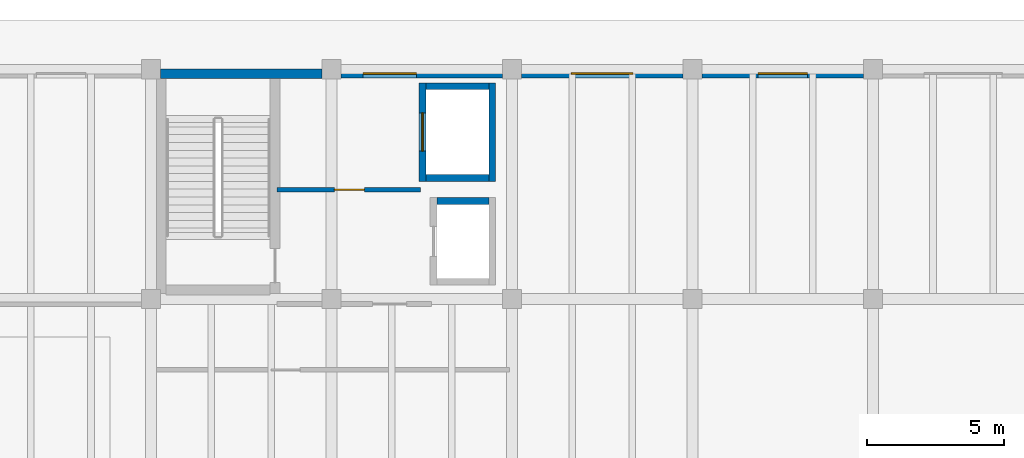
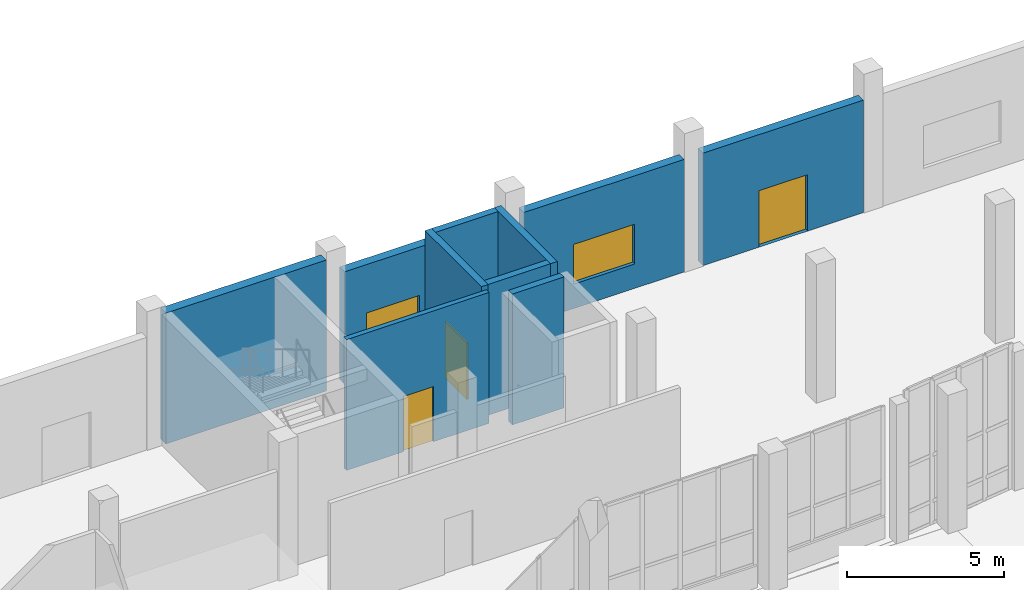
# One storey, part 45 of 64: 10 walls, 3 doors, 2 windows, 5 openings.
"""IFC4 building model written with IfcOpenShell, lengths in metres."""

import ifcopenshell
import ifcopenshell.guid

model = None  # the IFC model being written
_history = None  # IfcOwnerHistory: only IFC2X3 demands one
_inside = {}  # id of a spatial element -> (the spatial element, [elements in it])
_under = {}  # id of a project, library or spatial element -> (it, [spatial elements below it])
_declared = {}  # id of a project -> (the project, [libraries it declares])
_typed = {}  # id of a type object -> (the type object, [elements of that type])
_made_of = {}  # id of a material, layer set ... -> (it, [elements and type objects made of it])


def new_model(schema):
    """Start an empty IFC model of exactly this schema.

    Asked for "IFC4X3", IfcOpenShell would pick the latest addendum, in which some entities
    have other attributes; the version numbers below select the first issue.
    IFC2X3 requires an IfcOwnerHistory on every rooted entity: one is made here for all.
    """
    global model, _history
    if schema == "IFC4X3":
        model = ifcopenshell.file(schema_version=(4, 3, 0, 0))
    else:
        model = ifcopenshell.file(schema=schema)
    _inside.clear()
    _under.clear()
    _declared.clear()
    _typed.clear()
    _made_of.clear()
    _history = None
    if model.schema == "IFC2X3":
        org = make("IfcOrganization", Name="unknown")
        user = make(
            "IfcPersonAndOrganization",
            ThePerson=make("IfcPerson", FamilyName="unknown"),
            TheOrganization=org,
        )
        app = make(
            "IfcApplication",
            ApplicationDeveloper=org,
            Version="unknown",
            ApplicationFullName="unknown",
            ApplicationIdentifier="unknown",
        )
        _history = make(
            "IfcOwnerHistory",
            OwningUser=user,
            OwningApplication=app,
            ChangeAction="ADDED",
            CreationDate=0,
        )
    return model


def make(cls, **values):
    """One entity of the class cls with the attributes given. An attribute that is None is left unset."""
    return model.create_entity(
        cls, **{name: value for name, value in values.items() if value is not None}
    )


def rooted(cls, **values):
    """An entity with a GlobalId (a new one), such as an element, a storey or a relation."""
    return make(cls, GlobalId=ifcopenshell.guid.new(), OwnerHistory=_history, **values)


def si_unit(unit_type, name, prefix=None):
    """IfcSIUnit, for example si_unit("LENGTHUNIT", "METRE", prefix="MILLI")."""
    return make("IfcSIUnit", UnitType=unit_type, Prefix=prefix, Name=name)


def assignment(units):
    """IfcUnitAssignment: the units of a project."""
    return None if units is None else make("IfcUnitAssignment", Units=units)


def point(xyz):
    """IfcCartesianPoint."""
    return None if xyz is None else make("IfcCartesianPoint", Coordinates=xyz)


def direction(xyz):
    """IfcDirection."""
    return None if xyz is None else make("IfcDirection", DirectionRatios=xyz)


def frame(location, z_axis=None, x_axis=None):
    """IfcAxis2Placement3D, a coordinate frame: its origin and axes. An axis left out is left unset."""
    return make(
        "IfcAxis2Placement3D",
        Location=point(location),
        Axis=direction(z_axis),
        RefDirection=direction(x_axis),
    )


def frame_2d(location, x_axis=None):
    """IfcAxis2Placement2D, a coordinate frame in the plane: its origin and x axis."""
    return make(
        "IfcAxis2Placement2D", Location=point(location), RefDirection=direction(x_axis)
    )


def origin():
    """The frame at (0, 0, 0) with its axes left unset."""
    return frame((0.0, 0.0, 0.0))


def place(relative_to, where):
    """IfcLocalPlacement: puts the frame where relative to a parent placement (None: the world)."""
    return make(
        "IfcLocalPlacement", PlacementRelTo=relative_to, RelativePlacement=where
    )


def context(
    kind, dimensions, precision=None, world=None, true_north=None, identifier=None
):
    """IfcGeometricRepresentationContext, for example the 3D "Model" context."""
    return make(
        "IfcGeometricRepresentationContext",
        ContextIdentifier=identifier,
        ContextType=kind,
        CoordinateSpaceDimension=dimensions,
        Precision=precision,
        WorldCoordinateSystem=world,
        TrueNorth=true_north,
    )


def subcontext(parent, identifier, kind, view, scale=None):
    """IfcGeometricRepresentationSubContext, for example "Body" below "Model"."""
    return make(
        "IfcGeometricRepresentationSubContext",
        ContextIdentifier=identifier,
        ContextType=kind,
        ParentContext=parent,
        TargetScale=scale,
        TargetView=view,
    )


def project(units=None, contexts=None):
    """IfcProject with its units and contexts."""
    return rooted(
        "IfcProject",
        Name="project",
        RepresentationContexts=contexts,
        UnitsInContext=assignment(units),
    )


def spatial(cls, under=None, at=None, **own):
    """A site, building, storey or space (cls), placed at a placement, below another one or the project."""
    s = rooted(cls, ObjectPlacement=at, **own)
    if under is not None:
        _under.setdefault(under.id(), (under, []))[1].append(s)
    return s


def profile(cls, at=None, kind="AREA", **sizes):
    """A parametric profile (cls). Its sizes go by their IFC names, for example OverallWidth=200.0."""
    return make(cls, ProfileType=kind, Position=at, **sizes)


def rectangle(**sizes):
    """IfcRectangleProfileDef."""
    return profile("IfcRectangleProfileDef", **sizes)


def extrude(swept, where, along, depth):
    """IfcExtrudedAreaSolid: the profile swept, set in the frame where, extruded along a direction by depth."""
    return make(
        "IfcExtrudedAreaSolid",
        SweptArea=swept,
        Position=where,
        ExtrudedDirection=direction(along),
        Depth=depth,
    )


def shape(context_of_items, identifier, shape_type, items):
    """IfcShapeRepresentation: the items that make up one representation, for example the "Body"."""
    return make(
        "IfcShapeRepresentation",
        ContextOfItems=context_of_items,
        RepresentationIdentifier=identifier,
        RepresentationType=shape_type,
        Items=items,
    )


def material(Name=None, Category=None):
    """IfcMaterial."""
    return make("IfcMaterial", Name=Name, Category=Category)


def layer(
    of_material, thickness, ventilated=None, Name=None, Category=None, Priority=None
):
    """IfcMaterialLayer: one layer of a wall or slab, of a material (None: an air gap)."""
    return make(
        "IfcMaterialLayer",
        Material=of_material,
        LayerThickness=thickness,
        IsVentilated=ventilated,
        Name=Name,
        Category=Category,
        Priority=Priority,
    )


def layer_set(layers, Name=None):
    """IfcMaterialLayerSet."""
    return make("IfcMaterialLayerSet", MaterialLayers=layers, LayerSetName=Name)


def made_of(thing, what):
    """Note that an element or type object is made of a material, layer set ...; save() writes the relation."""
    if what is not None:
        _made_of.setdefault(what.id(), (what, []))[1].append(thing)
    return thing


def type_object(cls, material=None, **own):
    """A type object (cls), such as IfcWallType, which elements share."""
    return made_of(rooted(cls, **own), material)


def element(
    cls,
    number,
    at=None,
    inside=None,
    cuts=None,
    type_object=None,
    material=None,
    context=None,
    identifier="Body",
    shape_type=None,
    held_by="IfcProductDefinitionShape",
    body=None,
    shapes=None,
    **own,
):
    """One element of the class cls, such as IfcWall. Its Tag is "e" and its number.

    at: its placement. inside: the storey or other place that contains it. cuts: it is an
    opening in that element (IfcRelVoidsElement). A single representation is given by context,
    identifier, shape_type and body (its items); several are given by shapes. held_by: the class
    of the entity that holds the representations. save() writes the other relations.
    """
    e = rooted(cls, Tag="e%d" % number, ObjectPlacement=at, **own)
    if body is not None:
        shapes = [shape(context, identifier, shape_type, body)]
    if shapes is not None:
        e.Representation = make(held_by, Representations=shapes)
    if inside is not None:
        _inside.setdefault(inside.id(), (inside, []))[1].append(e)
    if cuts is not None:
        rooted(
            "IfcRelVoidsElement", RelatingBuildingElement=cuts, RelatedOpeningElement=e
        )
    if type_object is not None:
        _typed.setdefault(type_object.id(), (type_object, []))[1].append(e)
    return made_of(e, material)


def fill(opening, filler):
    """IfcRelFillsElement: the door or window that sits in an opening."""
    return rooted(
        "IfcRelFillsElement",
        RelatingOpeningElement=opening,
        RelatedBuildingElement=filler,
    )


def aggregate(whole, parts):
    """IfcRelAggregates: a whole, such as a stair, and the parts it consists of."""
    return rooted("IfcRelAggregates", RelatingObject=whole, RelatedObjects=parts)


def save(model, path):
    """Write the relations noted so far, then the file.

    IfcRelAggregates (storeys below a building ...), IfcRelContainedInSpatialStructure (elements
    in a storey), IfcRelDefinesByType, IfcRelAssociatesMaterial and IfcRelDeclares: one each for
    every whole, place, type object, material and project.
    """
    for whole, parts in _under.values():
        aggregate(whole, parts)
    for where, things in _inside.values():
        rooted(
            "IfcRelContainedInSpatialStructure",
            RelatedElements=things,
            RelatingStructure=where,
        )
    for kind, things in _typed.values():
        rooted("IfcRelDefinesByType", RelatedObjects=things, RelatingType=kind)
    for what, things in _made_of.values():
        rooted("IfcRelAssociatesMaterial", RelatedObjects=things, RelatingMaterial=what)
    for by, libraries in _declared.values():
        rooted("IfcRelDeclares", RelatingContext=by, RelatedDefinitions=libraries)
    model.write(path)


model = new_model("IFC4")

# Units and contexts
model_context = context("Model", 3, precision=1e-05, world=origin(), true_north=direction((0.0, 1.0)))
body_context = subcontext(model_context, "Body", "Model", "MODEL_VIEW")
ifc_project = project(units=[si_unit("LENGTHUNIT", "METRE"), si_unit("AREAUNIT", "SQUARE_METRE"), si_unit("VOLUMEUNIT", "CUBIC_METRE"), si_unit("PLANEANGLEUNIT", "RADIAN"), si_unit("MASSUNIT", "GRAM", prefix="KILO")], contexts=[model_context])

# Site, building, storey
site_placement = place(None, origin())
site = spatial("IfcSite", under=ifc_project, at=site_placement, CompositionType="ELEMENT")
building_placement = place(site_placement, origin())
building = spatial("IfcBuilding", under=site, at=building_placement, Name="Qaldarim Faculty of Natural and Applied Sciences", CompositionType="ELEMENT")
storey_placement = place(building_placement, origin())
storey = spatial("IfcBuildingStorey", under=building, at=storey_placement, Name="L00", CompositionType="ELEMENT", Elevation=0.0)

# Wall, opening, window
ifc_material_1 = material(Name="Precast concrete C40/50", Category="concrete")
ifc_layer_1 = layer(ifc_material_1, 0.320068359375)
ifc_layer_set_1 = layer_set([ifc_layer_1], Name="Precast concrete C40/50")
wall_type_1 = type_object("IfcWallType", Name="ExteriorLimestoneWall-320", PredefinedType="SOLIDWALL", material=ifc_layer_set_1)
wall_1_placement = place(storey_placement, frame((111.85498046875, 117.43994140625, 0.0), z_axis=(0.0, 0.0, 1.0), x_axis=(-1.0, 0.0, 0.0)))
wall_1 = element("IfcWall", 1, at=wall_1_placement, inside=storey, type_object=wall_type_1, Name="Exterior wall EW01 L00 N X17Y14", PredefinedType="SOLIDWALL", context=body_context, shape_type="SweptSolid", body=[
    extrude(rectangle(XDim=5.909912109375, YDim=0.320068359375, at=frame_2d((2.955078125, 0.0))), origin(), (0.0, 0.0, 1.0), 4.385009765625),
])
opening_1_placement = place(wall_1_placement, frame((3.14990234375, 0.0, 0.949951171875)))
opening_1 = element("IfcOpeningElement", 2, at=opening_1_placement, cuts=wall_1, Name="Opening WN11", PredefinedType="OPENING", context=body_context, shape_type="SweptSolid", body=[
    extrude(rectangle(XDim=1.949951171875, YDim=1.550048828125, at=frame_2d((0.97509765625, 0.77490234375))), frame((0.0, 0.169921875, 0.0), z_axis=(0.0, -1.0, 0.0), x_axis=(1.0, 0.0, 0.0)), (0.0, 0.0, 1.0), 0.340087890625),
])
ifc_material_2 = material(Name="Insulated low-e double glazing", Category="glass")
window_type_1 = type_object("IfcWindowType", Name="LabWindow-1950x1550", PartitioningType="DOUBLE_PANEL_VERTICAL", PredefinedType="WINDOW", material=ifc_material_2)
window_1_placement = place(opening_1_placement, origin())
window_1 = element("IfcWindow", 3, at=window_1_placement, inside=storey, type_object=window_type_1, Name="Facade window WN11 L00 N X17Y14", OverallHeight=1.550048828125, OverallWidth=1.949951171875, PartitioningType="SINGLE_PANEL", PredefinedType="WINDOW", context=body_context, shape_type="SweptSolid", body=[
    extrude(rectangle(XDim=1.949951171875, YDim=1.550048828125, at=frame_2d((0.97509765625, 0.77490234375))), frame((0.0, 0.030029296875, 0.0), z_axis=(0.0, -1.0, 0.0), x_axis=(1.0, 0.0, 0.0)), (0.0, 0.0, 1.0), 0.06005859375),
])
fill(opening_1, window_1)

wall_2_placement = place(storey_placement, frame((118.455078125, 117.43994140625, 0.0), z_axis=(0.0, 0.0, 1.0), x_axis=(-1.0, 0.0, 0.0)))
wall_2 = element("IfcWall", 4, at=wall_2_placement, inside=storey, type_object=wall_type_1, Name="Exterior wall EW01 L00 N X18Y14", PredefinedType="SOLIDWALL", context=body_context, shape_type="SweptSolid", body=[
    extrude(rectangle(XDim=5.91015625, YDim=0.320068359375, at=frame_2d((2.955078125, 0.0))), origin(), (0.0, 0.0, 1.0), 4.385009765625),
])
opening_2_placement = place(wall_2_placement, frame((1.830078125, 0.0, 0.949951171875)))
opening_2 = element("IfcOpeningElement", 5, at=opening_2_placement, cuts=wall_2, Name="Opening WN12", PredefinedType="OPENING", context=body_context, shape_type="SweptSolid", body=[
    extrude(rectangle(XDim=2.25, YDim=1.550048828125, at=frame_2d((1.125, 0.77490234375))), frame((0.0, 0.169921875, 0.0), z_axis=(0.0, -1.0, 0.0), x_axis=(1.0, 0.0, 0.0)), (0.0, 0.0, 1.0), 0.340087890625),
])
window_type_2 = type_object("IfcWindowType", Name="LabWindow-2250x1550", PartitioningType="TRIPLE_PANEL_VERTICAL", PredefinedType="WINDOW", material=ifc_material_2)
window_2_placement = place(opening_2_placement, origin())
window_2 = element("IfcWindow", 6, at=window_2_placement, inside=storey, type_object=window_type_2, Name="Facade window WN12 L00 N X18Y14", OverallHeight=1.550048828125, OverallWidth=2.25, PartitioningType="SINGLE_PANEL", PredefinedType="WINDOW", context=body_context, shape_type="SweptSolid", body=[
    extrude(rectangle(XDim=2.25, YDim=1.550048828125, at=frame_2d((1.125, 0.77490234375))), frame((0.0, 0.030029296875, 0.0), z_axis=(0.0, -1.0, 0.0), x_axis=(1.0, 0.0, 0.0)), (0.0, 0.0, 1.0), 0.06005859375),
])
fill(opening_2, window_2)

# Wall, opening, door
wall_3_placement = place(storey_placement, frame((125.054931640625, 117.43994140625, 0.0), z_axis=(0.0, 0.0, 1.0), x_axis=(-1.0, 0.0, 0.0)))
wall_3 = element("IfcWall", 7, at=wall_3_placement, inside=storey, type_object=wall_type_1, Name="Exterior wall EW01 L00 N X19Y14", PredefinedType="SOLIDWALL", context=body_context, shape_type="SweptSolid", body=[
    extrude(rectangle(XDim=5.909912109375, YDim=0.320068359375, at=frame_2d((2.955078125, 0.0))), origin(), (0.0, 0.0, 1.0), 4.385009765625),
])
opening_3_placement = place(wall_3_placement, frame((2.054931640625, 0.0, 0.0)))
opening_3 = element("IfcOpeningElement", 8, at=opening_3_placement, cuts=wall_3, Name="Opening ED04", PredefinedType="OPENING", context=body_context, shape_type="SweptSolid", body=[
    extrude(rectangle(XDim=1.800048828125, YDim=2.199951171875, at=frame_2d((0.89990234375, 1.10009765625))), frame((0.0, 0.169921875, 0.0), z_axis=(0.0, -1.0, 0.0), x_axis=(1.0, 0.0, 0.0)), (0.0, 0.0, 1.0), 0.340087890625),
])
ifc_material_3 = material(Name="Architectural stainless steel 316", Category="steel")
door_type_1 = type_object("IfcDoorType", Name="FinalExitDoubleDoor-1800x2200", OperationType="NOTDEFINED", PredefinedType="DOOR", material=ifc_material_3)
door_1_placement = place(opening_3_placement, frame((1.800048828125, 0.0, 0.0), z_axis=(0.0, 0.0, 1.0), x_axis=(-1.0, 0.0, 0.0)))
door_1 = element("IfcDoor", 9, at=door_1_placement, inside=storey, type_object=door_type_1, Name="Exterior entrance/exit door D-L00-015", OperationType="DOUBLE_DOOR_SINGLE_SWING", OverallHeight=2.199951171875, OverallWidth=1.800048828125, PredefinedType="DOOR", context=body_context, shape_type="SweptSolid", body=[
    extrude(rectangle(XDim=1.800048828125, YDim=2.199951171875, at=frame_2d((0.89990234375, 1.10009765625))), frame((0.0, 0.02490234375, 0.0), z_axis=(0.0, -1.0, 0.0), x_axis=(1.0, 0.0, 0.0)), (0.0, 0.0, 1.0), 0.050048828125),
])
fill(opening_3, door_1)

# Wall
ifc_material_4 = material(Name="Concrete C50/60", Category="concrete")
ifc_layer_2 = layer(ifc_material_4, 0.340087890625)
ifc_layer_set_2 = layer_set([ifc_layer_2], Name="Concrete C50/60")
wall_type_2 = type_object("IfcWallType", Name="ExteriorStairShearWall-340", PredefinedType="SHEAR", material=ifc_layer_set_2)
wall_4_placement = place(storey_placement, frame((105.2548828125, 117.429931640625, 0.0), z_axis=(0.0, 0.0, 1.0), x_axis=(-1.0, 0.0, 0.0)))
element("IfcWall", 10, at=wall_4_placement, inside=storey, type_object=wall_type_2, Name="Exterior wall EW05 L00 N X16Y14", PredefinedType="SHEAR", context=body_context, shape_type="SweptSolid", body=[
    extrude(rectangle(XDim=5.909912109375, YDim=0.340087890625, at=frame_2d((2.955078125, 0.0))), origin(), (0.0, 0.0, 1.0), 5.10009765625),
])

# Wall, opening, door
ifc_material_5 = material(Name="Concrete C40/50", Category="concrete")
ifc_layer_3 = layer(ifc_material_5, 0.179931640625)
ifc_layer_set_3 = layer_set([ifc_layer_3], Name="Concrete C40/50")
wall_type_3 = type_object("IfcWallType", Name="LabFireCompartmentWall-180", PredefinedType="SOLIDWALL", material=ifc_layer_set_3)
wall_5_placement = place(storey_placement, frame((103.60009765625, 113.18994140625, 0.0), z_axis=(0.0, 0.0, 1.0), x_axis=(1.0, 0.0, 0.0)))
wall_5 = element("IfcWall", 11, at=wall_5_placement, inside=storey, type_object=wall_type_3, Name="Fire-fighting lobby north wall Core B L00", PredefinedType="SOLIDWALL", context=body_context, shape_type="SweptSolid", body=[
    extrude(rectangle(XDim=5.25, YDim=0.179931640625, at=frame_2d((2.625, 0.0))), origin(), (0.0, 0.0, 1.0), 5.10009765625),
])
opening_4_placement = place(wall_5_placement, frame((2.10009765625, 0.0, 0.0)))
opening_4 = element("IfcOpeningElement", 12, at=opening_4_placement, cuts=wall_5, Name="Opening ID03", PredefinedType="OPENING", context=body_context, shape_type="SweptSolid", body=[
    extrude(rectangle(XDim=1.10009765625, YDim=2.14990234375, at=frame_2d((0.550048828125, 1.074951171875))), frame((0.0, 0.099853515625, 0.0), z_axis=(0.0, -1.0, 0.0), x_axis=(1.0, 0.0, 0.0)), (0.0, 0.0, 1.0), 0.199951171875),
])
ifc_material_6 = material(Name="Oak hardwood", Category="wood")
door_type_2 = type_object("IfcDoorType", Name="FireLobbyDoor-1100x2150", OperationType="NOTDEFINED", PredefinedType="DOOR", material=ifc_material_6)
door_2_placement = place(opening_4_placement, frame((1.10009765625, 0.0, 0.0), z_axis=(0.0, 0.0, 1.0), x_axis=(-1.0, 0.0, 0.0)))
door_2 = element("IfcDoor", 13, at=door_2_placement, inside=storey, type_object=door_type_2, Name="Passenger lift lobby door Core B D-L00-639", OperationType="SINGLE_SWING_RIGHT", OverallHeight=2.14990234375, OverallWidth=1.10009765625, PredefinedType="DOOR", context=body_context, shape_type="SweptSolid", body=[
    extrude(rectangle(XDim=1.10009765625, YDim=2.14990234375, at=frame_2d((0.550048828125, 1.074951171875))), frame((0.0, 0.02490234375, 0.0), z_axis=(0.0, -1.0, 0.0), x_axis=(1.0, 0.0, 0.0)), (0.0, 0.0, 1.0), 0.050048828125),
])
fill(opening_4, door_2)

# Wall
ifc_layer_4 = layer(ifc_material_5, 0.25)
ifc_layer_set_4 = layer_set([ifc_layer_4], Name="Concrete C40/50")
wall_type_4 = type_object("IfcWallType", Name="LiftShaftWall-250", PredefinedType="SHEAR", material=ifc_layer_set_4)
wall_6_placement = place(storey_placement, frame((109.449951171875, 112.77490234375, 0.0), z_axis=(0.0, 0.0, 1.0), x_axis=(1.0, 0.0, 0.0)))
element("IfcWall", 14, at=wall_6_placement, inside=storey, type_object=wall_type_4, Name="Lift LF-B1 north shaft wall L00", PredefinedType="SHEAR", context=body_context, shape_type="SweptSolid", body=[
    extrude(rectangle(XDim=1.900146484375, YDim=0.25, at=frame_2d((0.9501953125, 0.0))), origin(), (0.0, 0.0, 1.0), 5.10009765625),
])

# Wall, opening, door
wall_7_placement = place(storey_placement, frame((108.925048828125, 113.5, 0.0), z_axis=(0.0, 0.0, 1.0), x_axis=(0.0, 1.0, 0.0)))
wall_7 = element("IfcWall", 15, at=wall_7_placement, inside=storey, type_object=wall_type_4, Name="Lift LF-B2 front shaft wall L00", PredefinedType="SHEAR", context=body_context, shape_type="SweptSolid", body=[
    extrude(rectangle(XDim=3.60009765625, YDim=0.25, at=frame_2d((1.800048828125, 0.0))), origin(), (0.0, 0.0, 1.0), 5.10009765625),
])
opening_5_placement = place(wall_7_placement, frame((1.10009765625, 0.0, 0.0)))
opening_5 = element("IfcOpeningElement", 16, at=opening_5_placement, cuts=wall_7, Name="Opening LD02", PredefinedType="OPENING", context=body_context, shape_type="SweptSolid", body=[
    extrude(rectangle(XDim=1.39990234375, YDim=2.199951171875, at=frame_2d((0.699951171875, 1.10009765625))), frame((0.0, 0.135009765625, 0.0), z_axis=(0.0, -1.0, 0.0), x_axis=(1.0, 0.0, 0.0)), (0.0, 0.0, 1.0), 0.27001953125),
])
door_type_3 = type_object("IfcDoorType", Name="GoodsLiftSlidingDoor-1400x2200", OperationType="NOTDEFINED", PredefinedType="DOOR", material=ifc_material_3)
door_3_placement = place(opening_5_placement, origin())
door_3 = element("IfcDoor", 17, at=door_3_placement, inside=storey, type_object=door_type_3, Name="Lift landing sliding door LF-B2 D-L00-630", OperationType="SLIDING_TO_LEFT", OverallHeight=2.199951171875, OverallWidth=1.39990234375, PredefinedType="DOOR", context=body_context, shape_type="SweptSolid", body=[
    extrude(rectangle(XDim=1.39990234375, YDim=2.199951171875, at=frame_2d((0.699951171875, 1.10009765625))), frame((0.0, 0.02490234375, 0.0), z_axis=(0.0, -1.0, 0.0), x_axis=(1.0, 0.0, 0.0)), (0.0, 0.0, 1.0), 0.050048828125),
])
fill(opening_5, door_3)

# Walls
wall_8_placement = place(storey_placement, frame((111.47509765625, 113.5, 0.0), z_axis=(0.0, 0.0, 1.0), x_axis=(0.0, 1.0, 0.0)))
element("IfcWall", 18, at=wall_8_placement, inside=storey, type_object=wall_type_4, Name="Lift LF-B2 rear shaft wall L00", PredefinedType="SHEAR", context=body_context, shape_type="SweptSolid", body=[
    extrude(rectangle(XDim=3.60009765625, YDim=0.25, at=frame_2d((1.800048828125, 0.0))), origin(), (0.0, 0.0, 1.0), 5.10009765625),
])
for number, where, z_axis, x_axis, name in (
    (19, (109.050048828125, 113.625, 0.0), (0.0, 0.0, 1.0), (1.0, 0.0, 0.0), "Lift LF-B2 south shaft wall L00"),
    (20, (109.050048828125, 116.97509765625, 0.0), (0.0, 0.0, 1.0), (1.0, 0.0, 0.0), "Lift LF-B2 north shaft wall L00"),
):
    element("IfcWall", number, at=place(storey_placement, frame(where, z_axis=z_axis, x_axis=x_axis)), inside=storey, type_object=wall_type_4, Name=name, PredefinedType="SHEAR", context=body_context, shape_type="SweptSolid", body=[
        extrude(rectangle(XDim=2.300048828125, YDim=0.25, at=frame_2d((1.14990234375, 0.0))), origin(), (0.0, 0.0, 1.0), 5.10009765625),
    ])

save(model, "model.ifc")
